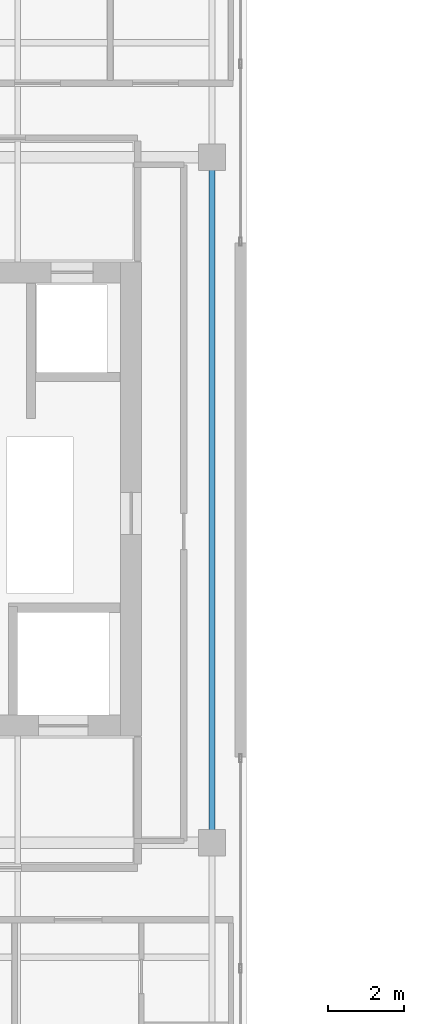
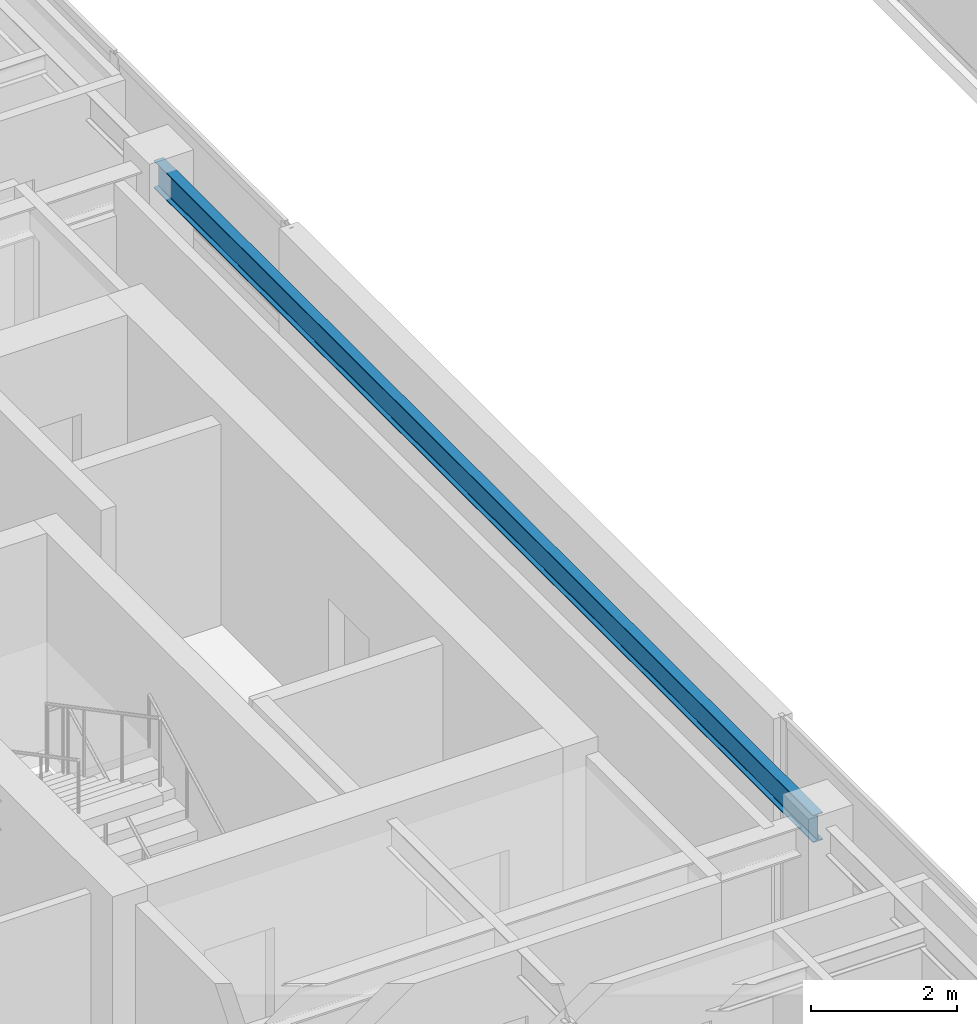
# One storey, part 7 of 24: 1 beam.
"""IFC4 building model written with IfcOpenShell, lengths in metres."""

from ifc_helpers import new_model, si_unit, direction, frame, origin, origin_2d, place, context, subcontext, project, spatial, i_section, extrude, source, transform, mapped, material, material_profile, profile_set, type_object, element, save


model = new_model("IFC4")

# Units and contexts
model_context = context("Model", 3, precision=1e-05, world=origin(), true_north=direction((0.0, 1.0)))
body_context = subcontext(model_context, "Body", "Model", "MODEL_VIEW")
ifc_project = project(units=[si_unit("LENGTHUNIT", "METRE"), si_unit("AREAUNIT", "SQUARE_METRE"), si_unit("VOLUMEUNIT", "CUBIC_METRE"), si_unit("PLANEANGLEUNIT", "RADIAN"), si_unit("MASSUNIT", "GRAM", prefix="KILO")], contexts=[model_context])

# Site, building, storey
site_placement = place(None, origin())
site = spatial("IfcSite", under=ifc_project, at=site_placement, CompositionType="ELEMENT")
building_placement = place(site_placement, origin())
building = spatial("IfcBuilding", under=site, at=building_placement, Name="Khoralis Quay Care Tower", CompositionType="ELEMENT")
storey_placement = place(building_placement, frame((0.0, 0.0, 238.5)))
storey = spatial("IfcBuildingStorey", under=building, at=storey_placement, Name="L62", CompositionType="ELEMENT", Elevation=238.5)

# Beam
ifc_material = material(Name="Steel S355", Category="steel")
ifc_material_profile = material_profile(ifc_material, i_section(OverallWidth=0.154052734375, OverallDepth=0.458984375, WebThickness=0.009033203125, FlangeThickness=0.015380859375, FilletRadius=0.014892578125, at=origin_2d()), Name="Steel S355")
ifc_profile_set = profile_set([ifc_material_profile], Name="Steel S355")
beam_type = type_object("IfcBeamType", Name="BM-W460X68", PredefinedType="BEAM", material=ifc_profile_set)
shared_shape = source(origin(), body_context, "Body", "SweptSolid", [
    extrude(i_section(OverallWidth=0.154052734375, OverallDepth=0.458984375, WebThickness=0.009033203125, FlangeThickness=0.015380859375, FilletRadius=0.014892578125, at=origin_2d()), origin(), (0.0, 0.0, 1.0), 18.0),
])
beam_placement = place(storey_placement, frame((17.10009765625, 12.0, 3.130615234375), z_axis=(0.0, 1.0, 0.0), x_axis=(-1.0, 0.0, 0.0)))
element("IfcBeam", 1, at=beam_placement, inside=storey, type_object=beam_type, Name="BM-TGSW-L62", PredefinedType="BEAM", context=body_context, shape_type="MappedRepresentation", body=[
    mapped(shared_shape, transform((0.0, 0.0, 0.0), scale=1.0)),
])

save(model, "model.ifc")
